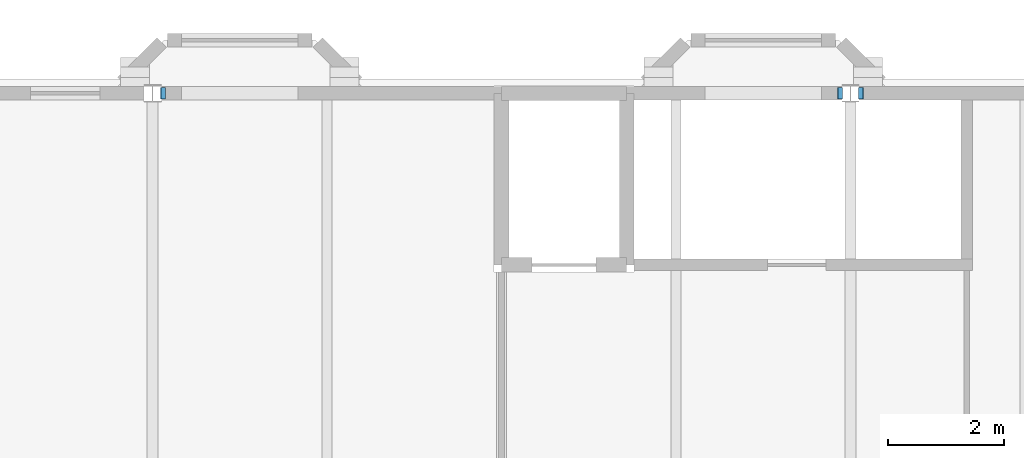
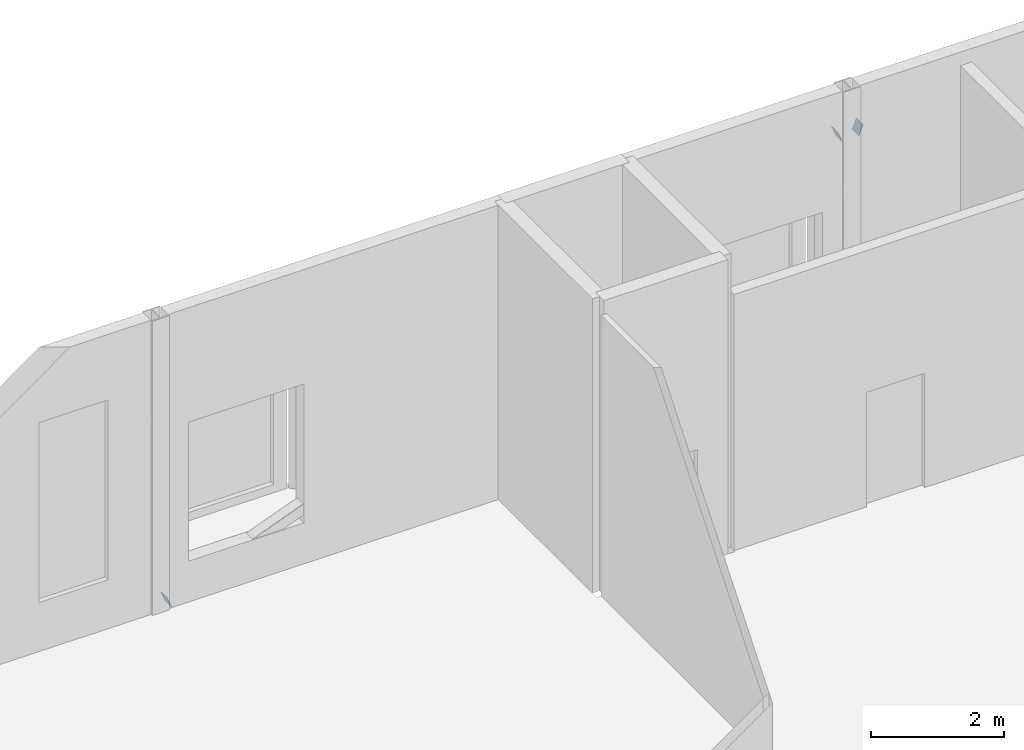
# One storey, part 151 of 170: 3 discrete accessories.
"""IFC4 building model written with IfcOpenShell, lengths in metres."""

from ifc_helpers import new_model, si_unit, direction, frame, origin, origin_2d, place, context, subcontext, project, spatial, rectangle, extrude, material, material_profile, profile_set, type_object, element, save


model = new_model("IFC4")

# Units and contexts
model_context = context("Model", 3, precision=1e-05, world=origin(), true_north=direction((0.0, 1.0)))
body_context = subcontext(model_context, "Body", "Model", "MODEL_VIEW")
ifc_project = project(units=[si_unit("LENGTHUNIT", "METRE"), si_unit("AREAUNIT", "SQUARE_METRE"), si_unit("VOLUMEUNIT", "CUBIC_METRE"), si_unit("PLANEANGLEUNIT", "RADIAN"), si_unit("MASSUNIT", "GRAM", prefix="KILO")], contexts=[model_context])

# Site, building, storey
site_placement = place(None, origin())
site = spatial("IfcSite", under=ifc_project, at=site_placement, CompositionType="ELEMENT")
building_placement = place(site_placement, origin())
building = spatial("IfcBuilding", under=site, at=building_placement, Name="Ravi Spectrum Wholesale Market", CompositionType="ELEMENT")
storey_placement = place(building_placement, frame((0.0, 0.0, 5.39990234375)))
storey = spatial("IfcBuildingStorey", under=building, at=storey_placement, Name="L01", CompositionType="ELEMENT", Elevation=5.39990234375)

# Discrete accessories
ifc_material = material(Name="Steel S355", Category="steel")
ifc_material_profile = material_profile(ifc_material, rectangle(XDim=0.199951171875, YDim=0.199951171875, at=origin_2d()))
ifc_profile_set = profile_set([ifc_material_profile], Name="Steel S355")
discrete_accessory_type = type_object("IfcDiscreteAccessoryType", Name="End plate SHS 200x200x8", PredefinedType="BRACKET", material=ifc_profile_set)
for number, where, z_axis, x_axis, name in (
    (1, (24.185791015625, 234.0, 0.093505859375), (-0.931242779706, 0.0, -0.364399348581), (0.0, -1.0, 0.0), "End plate"),
    (2, (35.814208984375, 234.0, 4.556640625), (0.931242779706, 0.0, 0.364399348581), (0.0, 1.0, 0.0), "End plate"),
    (3, (36.185791015625, 234.0, 4.556640625), (-0.931242779706, 0.0, 0.364399348581), (0.0, -1.0, 0.0), "End plate"),
):
    element("IfcDiscreteAccessory", number, at=place(storey_placement, frame(where, z_axis=z_axis, x_axis=x_axis)), inside=storey, type_object=discrete_accessory_type, Name=name, PredefinedType="BRACKET", context=body_context, shape_type="SweptSolid", body=[
        extrude(rectangle(XDim=0.199951171875, YDim=0.199951171875, at=origin_2d()), origin(), (0.0, 0.0, 1.0), 0.011962890625),
    ])

save(model, "model.ifc")
